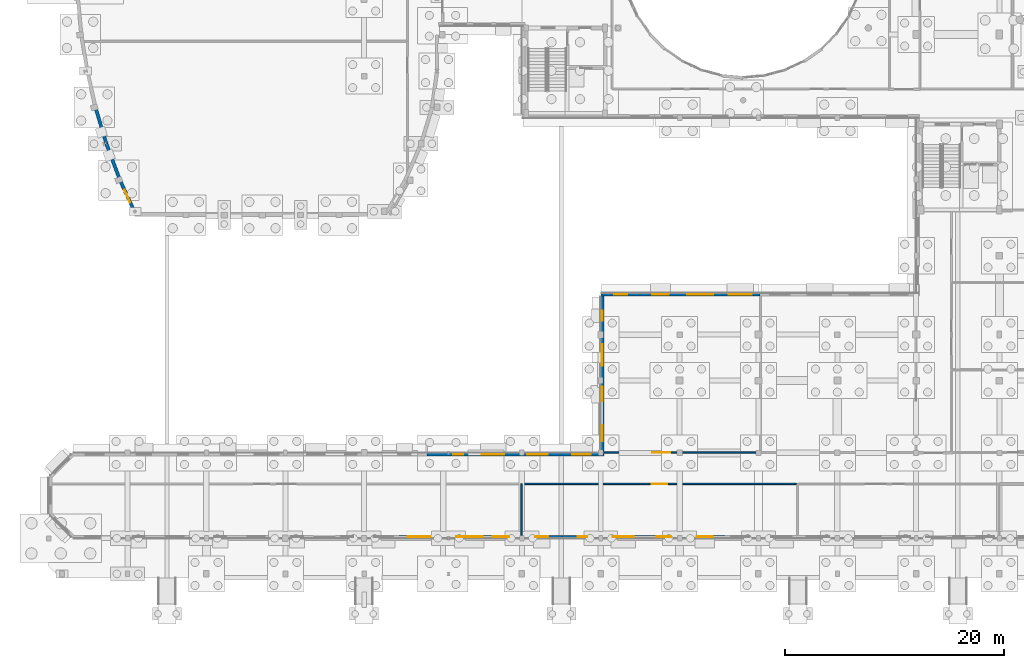
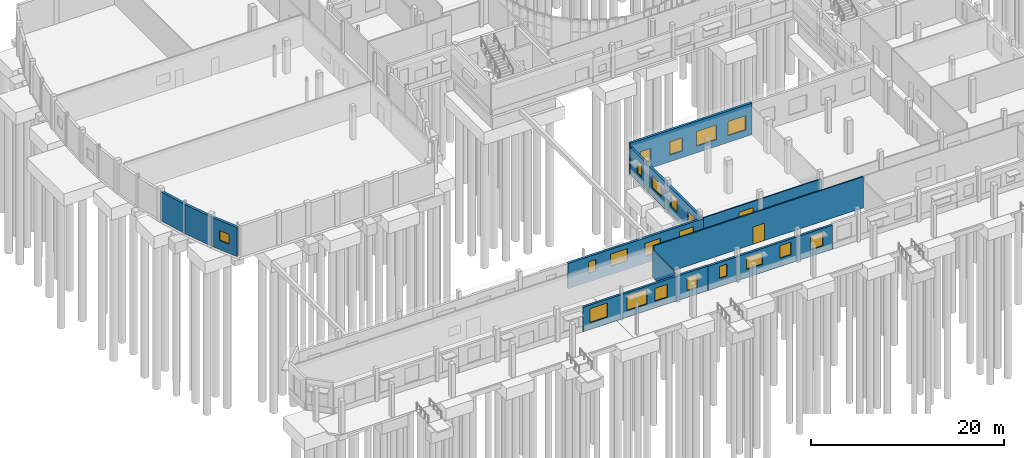
# One storey, part 62 of 93: 21 windows, 11 walls, 2 doors, 23 openings.
"""IFC4 building model written with IfcOpenShell, lengths in metres."""

from ifc_helpers import new_model, si_unit, direction, frame, frame_2d, origin, place, context, subcontext, project, spatial, rectangle, extrude, material, layer, layer_set, type_object, element, fill, save


model = new_model("IFC4")

# Units and contexts
model_context = context("Model", 3, precision=1e-05, world=origin(), true_north=direction((0.0, 1.0)))
body_context = subcontext(model_context, "Body", "Model", "MODEL_VIEW")
ifc_project = project(units=[si_unit("LENGTHUNIT", "METRE"), si_unit("AREAUNIT", "SQUARE_METRE"), si_unit("VOLUMEUNIT", "CUBIC_METRE"), si_unit("PLANEANGLEUNIT", "RADIAN"), si_unit("MASSUNIT", "GRAM", prefix="KILO")], contexts=[model_context])

# Site, building, storey
site_placement = place(None, origin())
site = spatial("IfcSite", under=ifc_project, at=site_placement, CompositionType="ELEMENT")
building_placement = place(site_placement, origin())
building = spatial("IfcBuilding", under=site, at=building_placement, Name="Kelanivale Promenade Academy", CompositionType="ELEMENT")
storey_placement = place(building_placement, origin())
storey = spatial("IfcBuildingStorey", under=building, at=storey_placement, Name="L00", CompositionType="ELEMENT", Elevation=0.0)

# Wall, opening, window
ifc_material_1 = material(Name="Insulated terracotta-clad masonry wall 300 mm", Category="masonry")
ifc_layer_1 = layer(ifc_material_1, 0.300048828125)
ifc_layer_set_1 = layer_set([ifc_layer_1], Name="Insulated terracotta-clad masonry wall 300 mm")
wall_type_1 = type_object("IfcWallType", Name="EW-01 Wall 300mm", PredefinedType="SOLIDWALL", material=ifc_layer_set_1)
wall_1_placement = place(storey_placement, frame((6.5029296875, 36.31396484375, 0.0), z_axis=(0.0, 0.0, 1.0), x_axis=(0.414347666712, -0.910118679673, 0.0)))
wall_1 = element("IfcWall", 1, at=wall_1_placement, inside=storey, type_object=wall_type_1, Name="Sports Hall Crescent Pavilion curved terracotta wall L00", PredefinedType="SOLIDWALL", context=body_context, shape_type="SweptSolid", body=[
    extrude(rectangle(XDim=3.2412109375, YDim=0.300048828125, at=frame_2d((1.62060546875, 0.0))), origin(), (0.0, 0.0, 1.0), 3.679931640625),
])
opening_1_placement = place(wall_1_placement, frame((0.99609375, 0.0, 1.14990234375)))
opening_1 = element("IfcOpeningElement", 2, at=opening_1_placement, cuts=wall_1, Name="Opening WT-20", PredefinedType="OPENING", context=body_context, shape_type="SweptSolid", body=[
    extrude(rectangle(XDim=1.25, YDim=1.25, at=frame_2d((0.625, 0.625))), frame((0.0, 0.16015625, 0.0), z_axis=(0.0, -1.0, 0.0), x_axis=(1.0, 0.0, 0.0)), (0.0, 0.0, 1.0), 0.320068359375),
])
ifc_material_2 = material(Name="Bronze anodised aluminium frame with low-E laminated glass", Category="aluminium")
window_type_1 = type_object("IfcWindowType", Name="WT-20 Window 1250x1250", PartitioningType="SINGLE_PANEL", PredefinedType="WINDOW", material=ifc_material_2)
window_1_placement = place(opening_1_placement, origin())
window_1 = element("IfcWindow", 3, at=window_1_placement, inside=storey, type_object=window_type_1, Name="Window WT-20", OverallHeight=1.25, OverallWidth=1.25, PartitioningType="SINGLE_PANEL", PredefinedType="WINDOW", context=body_context, shape_type="SweptSolid", body=[
    extrude(rectangle(XDim=1.25, YDim=1.25, at=frame_2d((0.625, 0.625))), frame((0.0, 0.030029296875, 0.0), z_axis=(0.0, -1.0, 0.0), x_axis=(1.0, 0.0, 0.0)), (0.0, 0.0, 1.0), 0.06005859375),
])
fill(opening_1, window_1)

# Walls
wall_2_placement = place(storey_placement, frame((5.260986328125, 39.62890625, 0.0), z_axis=(0.0, 0.0, 1.0), x_axis=(0.350836219137, -0.936436835746, 0.0)))
element("IfcWall", 4, at=wall_2_placement, inside=storey, type_object=wall_type_1, Name="Sports Hall Crescent Pavilion curved terracotta wall L00", PredefinedType="SOLIDWALL", context=body_context, shape_type="SweptSolid", body=[
    extrude(rectangle(XDim=3.5400390625, YDim=0.300048828125, at=frame_2d((1.77001953125, 0.0))), origin(), (0.0, 0.0, 1.0), 3.679931640625),
])
wall_3_placement = place(storey_placement, frame((4.26806640625, 42.943115234375, 0.0), z_axis=(0.0, 0.0, 1.0), x_axis=(0.286991798892, -0.957933039084, 0.0)))
element("IfcWall", 5, at=wall_3_placement, inside=storey, type_object=wall_type_1, Name="Sports Hall Crescent Pavilion curved terracotta wall L00", PredefinedType="SOLIDWALL", context=body_context, shape_type="SweptSolid", body=[
    extrude(rectangle(XDim=3.459716796875, YDim=0.300048828125, at=frame_2d((1.72998046875, 0.0))), origin(), (0.0, 0.0, 1.0), 3.679931640625),
])

# Wall, openings, windows
ifc_material_3 = material(Name="Insulated ivory stucco masonry wall 280 mm", Category="masonry")
ifc_layer_2 = layer(ifc_material_3, 0.280029296875)
ifc_layer_set_2 = layer_set([ifc_layer_2], Name="Insulated ivory stucco masonry wall 280 mm")
wall_type_2 = type_object("IfcWallType", Name="EW-02 Wall 280mm", PredefinedType="SOLIDWALL", material=ifc_layer_set_2)
wall_4_placement = place(storey_placement, frame((64.93994140625, 25.860107421875, 0.0), z_axis=(0.0, 0.0, 1.0), x_axis=(-1.0, 0.0, 0.0)))
wall_4 = element("IfcWall", 6, at=wall_4_placement, inside=storey, type_object=wall_type_2, Name="L00 exterior facade wall EW-L00-ORT-0324", PredefinedType="SOLIDWALL", context=body_context, shape_type="SweptSolid", body=[
    extrude(rectangle(XDim=14.5400390625, YDim=0.280029296875, at=frame_2d((7.27001953125, 0.0))), origin(), (0.0, 0.0, 1.0), 3.97998046875),
])
opening_2_placement = place(wall_4_placement, frame((0.76708984375, 0.0, 0.85009765625)))
opening_2 = element("IfcOpeningElement", 7, at=opening_2_placement, cuts=wall_4, Name="Opening WT-02", PredefinedType="OPENING", context=body_context, shape_type="SweptSolid", body=[
    extrude(rectangle(XDim=2.10009765625, YDim=1.800048828125, at=frame_2d((1.050048828125, 0.89990234375))), frame((0.0, 0.14990234375, 0.0), z_axis=(0.0, -1.0, 0.0), x_axis=(1.0, 0.0, 0.0)), (0.0, 0.0, 1.0), 0.300048828125),
])
opening_3_placement = place(wall_4_placement, frame((4.251953125, 0.0, 0.85009765625)))
opening_3 = element("IfcOpeningElement", 8, at=opening_3_placement, cuts=wall_4, Name="Opening WT-03", PredefinedType="OPENING", context=body_context, shape_type="SweptSolid", body=[
    extrude(rectangle(XDim=2.39990234375, YDim=1.85009765625, at=frame_2d((1.199951171875, 0.925048828125))), frame((0.0, 0.14990234375, 0.0), z_axis=(0.0, -1.0, 0.0), x_axis=(1.0, 0.0, 0.0)), (0.0, 0.0, 1.0), 0.300048828125),
])
opening_4_placement = place(wall_4_placement, frame((8.3369140625, 0.0, 0.85009765625)))
opening_4 = element("IfcOpeningElement", 9, at=opening_4_placement, cuts=wall_4, Name="Opening WT-04", PredefinedType="OPENING", context=body_context, shape_type="SweptSolid", body=[
    extrude(rectangle(XDim=1.5, YDim=1.64990234375, at=frame_2d((0.75, 0.824951171875))), frame((0.0, 0.14990234375, 0.0), z_axis=(0.0, -1.0, 0.0), x_axis=(1.0, 0.0, 0.0)), (0.0, 0.0, 1.0), 0.300048828125),
])
opening_5_placement = place(wall_4_placement, frame((12.123046875, 0.0, 0.85009765625)))
opening_5 = element("IfcOpeningElement", 10, at=opening_5_placement, cuts=wall_4, Name="Opening WT-05", PredefinedType="OPENING", context=body_context, shape_type="SweptSolid", body=[
    extrude(rectangle(XDim=1.199951171875, YDim=1.64990234375, at=frame_2d((0.60009765625, 0.824951171875))), frame((0.0, 0.14990234375, 0.0), z_axis=(0.0, -1.0, 0.0), x_axis=(1.0, 0.0, 0.0)), (0.0, 0.0, 1.0), 0.300048828125),
])
window_type_2 = type_object("IfcWindowType", Name="WT-02 Window 2100x1800", PartitioningType="SINGLE_PANEL", PredefinedType="WINDOW", material=ifc_material_2)
window_2_placement = place(opening_2_placement, origin())
window_2 = element("IfcWindow", 11, at=window_2_placement, inside=storey, type_object=window_type_2, Name="Window WT-02", OverallHeight=1.800048828125, OverallWidth=2.10009765625, PartitioningType="SINGLE_PANEL", PredefinedType="WINDOW", context=body_context, shape_type="SweptSolid", body=[
    extrude(rectangle(XDim=2.10009765625, YDim=1.800048828125, at=frame_2d((1.050048828125, 0.89990234375))), frame((0.0, 0.030029296875, 0.0), z_axis=(0.0, -1.0, 0.0), x_axis=(1.0, 0.0, 0.0)), (0.0, 0.0, 1.0), 0.06005859375),
])
fill(opening_2, window_2)
window_type_3 = type_object("IfcWindowType", Name="WT-03 Window 2400x1850", PartitioningType="SINGLE_PANEL", PredefinedType="WINDOW", material=ifc_material_2)
window_3_placement = place(opening_3_placement, origin())
window_3 = element("IfcWindow", 12, at=window_3_placement, inside=storey, type_object=window_type_3, Name="Window WT-03", OverallHeight=1.85009765625, OverallWidth=2.39990234375, PartitioningType="SINGLE_PANEL", PredefinedType="WINDOW", context=body_context, shape_type="SweptSolid", body=[
    extrude(rectangle(XDim=2.39990234375, YDim=1.85009765625, at=frame_2d((1.199951171875, 0.925048828125))), frame((0.0, 0.030029296875, 0.0), z_axis=(0.0, -1.0, 0.0), x_axis=(1.0, 0.0, 0.0)), (0.0, 0.0, 1.0), 0.06005859375),
])
fill(opening_3, window_3)
window_type_4 = type_object("IfcWindowType", Name="WT-04 Window 1500x1650", PartitioningType="SINGLE_PANEL", PredefinedType="WINDOW", material=ifc_material_2)
window_4_placement = place(opening_4_placement, origin())
window_4 = element("IfcWindow", 13, at=window_4_placement, inside=storey, type_object=window_type_4, Name="Window WT-04", OverallHeight=1.64990234375, OverallWidth=1.5, PartitioningType="SINGLE_PANEL", PredefinedType="WINDOW", context=body_context, shape_type="SweptSolid", body=[
    extrude(rectangle(XDim=1.5, YDim=1.64990234375, at=frame_2d((0.75, 0.824951171875))), frame((0.0, 0.030029296875, 0.0), z_axis=(0.0, -1.0, 0.0), x_axis=(1.0, 0.0, 0.0)), (0.0, 0.0, 1.0), 0.06005859375),
])
fill(opening_4, window_4)
window_type_5 = type_object("IfcWindowType", Name="WT-05 Window 1200x1650", PartitioningType="SINGLE_PANEL", PredefinedType="WINDOW", material=ifc_material_2)
window_5_placement = place(opening_5_placement, origin())
window_5 = element("IfcWindow", 14, at=window_5_placement, inside=storey, type_object=window_type_5, Name="Window WT-05", OverallHeight=1.64990234375, OverallWidth=1.199951171875, PartitioningType="SINGLE_PANEL", PredefinedType="WINDOW", context=body_context, shape_type="SweptSolid", body=[
    extrude(rectangle(XDim=1.199951171875, YDim=1.64990234375, at=frame_2d((0.60009765625, 0.824951171875))), frame((0.0, 0.030029296875, 0.0), z_axis=(0.0, -1.0, 0.0), x_axis=(1.0, 0.0, 0.0)), (0.0, 0.0, 1.0), 0.06005859375),
])
fill(opening_5, window_5)

wall_5_placement = place(storey_placement, frame((50.5400390625, 25.719970703125, 0.0), z_axis=(0.0, 0.0, 1.0), x_axis=(0.0, -1.0, 0.0)))
wall_5 = element("IfcWall", 15, at=wall_5_placement, inside=storey, type_object=wall_type_2, Name="L00 exterior facade wall EW-L00-ORT-0325", PredefinedType="SOLIDWALL", context=body_context, shape_type="SweptSolid", body=[
    extrude(rectangle(XDim=14.320068359375, YDim=0.280029296875, at=frame_2d((7.16015625, 0.0))), origin(), (0.0, 0.0, 1.0), 3.405029296875),
])
opening_6_placement = place(wall_5_placement, frame((1.340087890625, 0.0, 1.050048828125)))
opening_6 = element("IfcOpeningElement", 16, at=opening_6_placement, cuts=wall_5, Name="Opening WT-06", PredefinedType="OPENING", context=body_context, shape_type="SweptSolid", body=[
    extrude(rectangle(XDim=0.89990234375, YDim=1.5, at=frame_2d((0.449951171875, 0.75))), frame((0.0, 0.14990234375, 0.0), z_axis=(0.0, -1.0, 0.0), x_axis=(1.0, 0.0, 0.0)), (0.0, 0.0, 1.0), 0.300048828125),
])
opening_7_placement = place(wall_5_placement, frame((4.39501953125, 0.0, 1.050048828125)))
opening_7 = element("IfcOpeningElement", 17, at=opening_7_placement, cuts=wall_5, Name="Opening WT-22", PredefinedType="OPENING", context=body_context, shape_type="SweptSolid", body=[
    extrude(rectangle(XDim=1.949951171875, YDim=1.5, at=frame_2d((0.97509765625, 0.75))), frame((0.0, 0.14990234375, 0.0), z_axis=(0.0, -1.0, 0.0), x_axis=(1.0, 0.0, 0.0)), (0.0, 0.0, 1.0), 0.300048828125),
])
opening_8_placement = place(wall_5_placement, frame((8.300048828125, 0.0, 1.050048828125)))
opening_8 = element("IfcOpeningElement", 18, at=opening_8_placement, cuts=wall_5, Name="Opening WT-23", PredefinedType="OPENING", context=body_context, shape_type="SweptSolid", body=[
    extrude(rectangle(XDim=1.300048828125, YDim=1.60009765625, at=frame_2d((0.64990234375, 0.800048828125))), frame((0.0, 0.14990234375, 0.0), z_axis=(0.0, -1.0, 0.0), x_axis=(1.0, 0.0, 0.0)), (0.0, 0.0, 1.0), 0.300048828125),
])
opening_9_placement = place(wall_5_placement, frame((11.804931640625, 0.0, 0.85009765625)))
opening_9 = element("IfcOpeningElement", 19, at=opening_9_placement, cuts=wall_5, Name="Opening WT-24", PredefinedType="OPENING", context=body_context, shape_type="SweptSolid", body=[
    extrude(rectangle(XDim=1.449951171875, YDim=1.699951171875, at=frame_2d((0.72509765625, 0.85009765625))), frame((0.0, 0.14990234375, 0.0), z_axis=(0.0, -1.0, 0.0), x_axis=(1.0, 0.0, 0.0)), (0.0, 0.0, 1.0), 0.300048828125),
])
window_type_6 = type_object("IfcWindowType", Name="WT-06 Window 900x1500", PartitioningType="SINGLE_PANEL", PredefinedType="WINDOW", material=ifc_material_2)
window_6_placement = place(opening_6_placement, origin())
window_6 = element("IfcWindow", 20, at=window_6_placement, inside=storey, type_object=window_type_6, Name="Window WT-06", OverallHeight=1.5, OverallWidth=0.89990234375, PartitioningType="SINGLE_PANEL", PredefinedType="WINDOW", context=body_context, shape_type="SweptSolid", body=[
    extrude(rectangle(XDim=0.89990234375, YDim=1.5, at=frame_2d((0.449951171875, 0.75))), frame((0.0, 0.030029296875, 0.0), z_axis=(0.0, -1.0, 0.0), x_axis=(1.0, 0.0, 0.0)), (0.0, 0.0, 1.0), 0.06005859375),
])
fill(opening_6, window_6)
window_type_7 = type_object("IfcWindowType", Name="WT-22 Window 1950x1500", PartitioningType="SINGLE_PANEL", PredefinedType="WINDOW", material=ifc_material_2)
window_7_placement = place(opening_7_placement, origin())
window_7 = element("IfcWindow", 21, at=window_7_placement, inside=storey, type_object=window_type_7, Name="Window WT-22", OverallHeight=1.5, OverallWidth=1.949951171875, PartitioningType="SINGLE_PANEL", PredefinedType="WINDOW", context=body_context, shape_type="SweptSolid", body=[
    extrude(rectangle(XDim=1.949951171875, YDim=1.5, at=frame_2d((0.97509765625, 0.75))), frame((0.0, 0.030029296875, 0.0), z_axis=(0.0, -1.0, 0.0), x_axis=(1.0, 0.0, 0.0)), (0.0, 0.0, 1.0), 0.06005859375),
])
fill(opening_7, window_7)
window_type_8 = type_object("IfcWindowType", Name="WT-23 Window 1300x1600", PartitioningType="SINGLE_PANEL", PredefinedType="WINDOW", material=ifc_material_2)
window_8_placement = place(opening_8_placement, origin())
window_8 = element("IfcWindow", 22, at=window_8_placement, inside=storey, type_object=window_type_8, Name="Window WT-23", OverallHeight=1.60009765625, OverallWidth=1.300048828125, PartitioningType="SINGLE_PANEL", PredefinedType="WINDOW", context=body_context, shape_type="SweptSolid", body=[
    extrude(rectangle(XDim=1.300048828125, YDim=1.60009765625, at=frame_2d((0.64990234375, 0.800048828125))), frame((0.0, 0.030029296875, 0.0), z_axis=(0.0, -1.0, 0.0), x_axis=(1.0, 0.0, 0.0)), (0.0, 0.0, 1.0), 0.06005859375),
])
fill(opening_8, window_8)
window_type_9 = type_object("IfcWindowType", Name="WT-24 Window 1450x1700", PartitioningType="SINGLE_PANEL", PredefinedType="WINDOW", material=ifc_material_2)
window_9_placement = place(opening_9_placement, origin())
window_9 = element("IfcWindow", 23, at=window_9_placement, inside=storey, type_object=window_type_9, Name="Window WT-24", OverallHeight=1.699951171875, OverallWidth=1.449951171875, PartitioningType="SINGLE_PANEL", PredefinedType="WINDOW", context=body_context, shape_type="SweptSolid", body=[
    extrude(rectangle(XDim=1.449951171875, YDim=1.699951171875, at=frame_2d((0.72509765625, 0.85009765625))), frame((0.0, 0.030029296875, 0.0), z_axis=(0.0, -1.0, 0.0), x_axis=(1.0, 0.0, 0.0)), (0.0, 0.0, 1.0), 0.06005859375),
])
fill(opening_9, window_9)

wall_6_placement = place(storey_placement, frame((50.679931640625, 11.260009765625, 0.0), z_axis=(0.0, 0.0, 1.0), x_axis=(-1.0, 0.0, 0.0)))
wall_6 = element("IfcWall", 24, at=wall_6_placement, inside=storey, type_object=wall_type_2, Name="L00 exterior facade wall EW-L00-ORT-0326", PredefinedType="SOLIDWALL", context=body_context, shape_type="SweptSolid", body=[
    extrude(rectangle(XDim=16.1650390625, YDim=0.280029296875, at=frame_2d((8.08251953125, 0.0))), origin(), (0.0, 0.0, 1.0), 3.205078125),
])
opening_10_placement = place(wall_6_placement, frame((1.1708984375, 0.0, 0.85009765625)))
opening_10 = element("IfcOpeningElement", 25, at=opening_10_placement, cuts=wall_6, Name="Opening WT-25", PredefinedType="OPENING", context=body_context, shape_type="SweptSolid", body=[
    extrude(rectangle(XDim=1.699951171875, YDim=1.75, at=frame_2d((0.85009765625, 0.875))), frame((0.0, 0.14990234375, 0.0), z_axis=(0.0, -1.0, 0.0), x_axis=(1.0, 0.0, 0.0)), (0.0, 0.0, 1.0), 0.300048828125),
])
opening_11_placement = place(wall_6_placement, frame((5.112060546875, 0.0, 0.85009765625)))
opening_11 = element("IfcOpeningElement", 26, at=opening_11_placement, cuts=wall_6, Name="Opening WT-26", PredefinedType="OPENING", context=body_context, shape_type="SweptSolid", body=[
    extrude(rectangle(XDim=1.89990234375, YDim=1.64990234375, at=frame_2d((0.949951171875, 0.824951171875))), frame((0.0, 0.14990234375, 0.0), z_axis=(0.0, -1.0, 0.0), x_axis=(1.0, 0.0, 0.0)), (0.0, 0.0, 1.0), 0.300048828125),
])
opening_12_placement = place(wall_6_placement, frame((9.077880859375, 0.0, 1.050048828125)))
opening_12 = element("IfcOpeningElement", 27, at=opening_12_placement, cuts=wall_6, Name="Opening WT-27", PredefinedType="OPENING", context=body_context, shape_type="SweptSolid", body=[
    extrude(rectangle(XDim=2.050048828125, YDim=1.550048828125, at=frame_2d((1.02490234375, 0.77490234375))), frame((0.0, 0.14990234375, 0.0), z_axis=(0.0, -1.0, 0.0), x_axis=(1.0, 0.0, 0.0)), (0.0, 0.0, 1.0), 0.300048828125),
])
opening_13_placement = place(wall_6_placement, frame((12.843994140625, 0.0, 1.050048828125)))
opening_13 = element("IfcOpeningElement", 28, at=opening_13_placement, cuts=wall_6, Name="Opening WT-06", PredefinedType="OPENING", context=body_context, shape_type="SweptSolid", body=[
    extrude(rectangle(XDim=0.89990234375, YDim=1.5, at=frame_2d((0.449951171875, 0.75))), frame((0.0, 0.14990234375, 0.0), z_axis=(0.0, -1.0, 0.0), x_axis=(1.0, 0.0, 0.0)), (0.0, 0.0, 1.0), 0.300048828125),
])
window_10_placement = place(opening_13_placement, origin())
window_10 = element("IfcWindow", 29, at=window_10_placement, inside=storey, type_object=window_type_6, Name="Window WT-06", OverallHeight=1.5, OverallWidth=0.89990234375, PartitioningType="SINGLE_PANEL", PredefinedType="WINDOW", context=body_context, shape_type="SweptSolid", body=[
    extrude(rectangle(XDim=0.89990234375, YDim=1.5, at=frame_2d((0.449951171875, 0.75))), frame((0.0, 0.030029296875, 0.0), z_axis=(0.0, -1.0, 0.0), x_axis=(1.0, 0.0, 0.0)), (0.0, 0.0, 1.0), 0.06005859375),
])
fill(opening_13, window_10)
window_type_10 = type_object("IfcWindowType", Name="WT-25 Window 1700x1750", PartitioningType="SINGLE_PANEL", PredefinedType="WINDOW", material=ifc_material_2)
window_11_placement = place(opening_10_placement, origin())
window_11 = element("IfcWindow", 30, at=window_11_placement, inside=storey, type_object=window_type_10, Name="Window WT-25", OverallHeight=1.75, OverallWidth=1.699951171875, PartitioningType="SINGLE_PANEL", PredefinedType="WINDOW", context=body_context, shape_type="SweptSolid", body=[
    extrude(rectangle(XDim=1.699951171875, YDim=1.75, at=frame_2d((0.85009765625, 0.875))), frame((0.0, 0.030029296875, 0.0), z_axis=(0.0, -1.0, 0.0), x_axis=(1.0, 0.0, 0.0)), (0.0, 0.0, 1.0), 0.06005859375),
])
fill(opening_10, window_11)
window_type_11 = type_object("IfcWindowType", Name="WT-26 Window 1900x1650", PartitioningType="SINGLE_PANEL", PredefinedType="WINDOW", material=ifc_material_2)
window_12_placement = place(opening_11_placement, origin())
window_12 = element("IfcWindow", 31, at=window_12_placement, inside=storey, type_object=window_type_11, Name="Window WT-26", OverallHeight=1.64990234375, OverallWidth=1.89990234375, PartitioningType="SINGLE_PANEL", PredefinedType="WINDOW", context=body_context, shape_type="SweptSolid", body=[
    extrude(rectangle(XDim=1.89990234375, YDim=1.64990234375, at=frame_2d((0.949951171875, 0.824951171875))), frame((0.0, 0.030029296875, 0.0), z_axis=(0.0, -1.0, 0.0), x_axis=(1.0, 0.0, 0.0)), (0.0, 0.0, 1.0), 0.06005859375),
])
fill(opening_11, window_12)
window_type_12 = type_object("IfcWindowType", Name="WT-27 Window 2050x1550", PartitioningType="SINGLE_PANEL", PredefinedType="WINDOW", material=ifc_material_2)
window_13_placement = place(opening_12_placement, origin())
window_13 = element("IfcWindow", 32, at=window_13_placement, inside=storey, type_object=window_type_12, Name="Window WT-27", OverallHeight=1.550048828125, OverallWidth=2.050048828125, PartitioningType="SINGLE_PANEL", PredefinedType="WINDOW", context=body_context, shape_type="SweptSolid", body=[
    extrude(rectangle(XDim=2.050048828125, YDim=1.550048828125, at=frame_2d((1.02490234375, 0.77490234375))), frame((0.0, 0.030029296875, 0.0), z_axis=(0.0, -1.0, 0.0), x_axis=(1.0, 0.0, 0.0)), (0.0, 0.0, 1.0), 0.06005859375),
])
fill(opening_12, window_13)

ifc_material_4 = material(Name="Insulated granite-faced masonry wall 260 mm", Category="masonry")
ifc_layer_3 = layer(ifc_material_4, 0.260009765625)
ifc_layer_set_3 = layer_set([ifc_layer_3], Name="Insulated granite-faced masonry wall 260 mm")
wall_type_3 = type_object("IfcWallType", Name="EW-03 Wall 260mm", PredefinedType="SOLIDWALL", material=ifc_layer_set_3)
wall_7_placement = place(storey_placement, frame((31.97607421875, 3.739990234375, 0.0), z_axis=(0.0, 0.0, 1.0), x_axis=(1.0, 0.0, 0.0)))
wall_7 = element("IfcWall", 33, at=wall_7_placement, inside=storey, type_object=wall_type_3, Name="L00 exterior facade wall EW-L00-ORT-0334", PredefinedType="SOLIDWALL", context=body_context, shape_type="SweptSolid", body=[
    extrude(rectangle(XDim=14.892822265625, YDim=0.260009765625, at=frame_2d((7.4462890625, 0.0))), origin(), (0.0, 0.0, 1.0), 3.10498046875),
])
opening_14_placement = place(wall_7_placement, frame((0.81201171875, 0.0, 0.85009765625)))
opening_14 = element("IfcOpeningElement", 34, at=opening_14_placement, cuts=wall_7, Name="Opening WT-02", PredefinedType="OPENING", context=body_context, shape_type="SweptSolid", body=[
    extrude(rectangle(XDim=2.10009765625, YDim=1.800048828125, at=frame_2d((1.050048828125, 0.89990234375))), frame((0.0, 0.14013671875, 0.0), z_axis=(0.0, -1.0, 0.0), x_axis=(1.0, 0.0, 0.0)), (0.0, 0.0, 1.0), 0.280029296875),
])
opening_15_placement = place(wall_7_placement, frame((5.235107421875, 0.0, 0.85009765625)))
opening_15 = element("IfcOpeningElement", 35, at=opening_15_placement, cuts=wall_7, Name="Opening WT-03", PredefinedType="OPENING", context=body_context, shape_type="SweptSolid", body=[
    extrude(rectangle(XDim=2.39990234375, YDim=1.85009765625, at=frame_2d((1.199951171875, 0.925048828125))), frame((0.0, 0.14013671875, 0.0), z_axis=(0.0, -1.0, 0.0), x_axis=(1.0, 0.0, 0.0)), (0.0, 0.0, 1.0), 0.280029296875),
])
opening_16_placement = place(wall_7_placement, frame((8.55810546875, 0.0, 0.85009765625)))
opening_16 = element("IfcOpeningElement", 36, at=opening_16_placement, cuts=wall_7, Name="Opening WT-04", PredefinedType="OPENING", context=body_context, shape_type="SweptSolid", body=[
    extrude(rectangle(XDim=1.5, YDim=1.64990234375, at=frame_2d((0.75, 0.824951171875))), frame((0.0, 0.14013671875, 0.0), z_axis=(0.0, -1.0, 0.0), x_axis=(1.0, 0.0, 0.0)), (0.0, 0.0, 1.0), 0.280029296875),
])
opening_17_placement = place(wall_7_placement, frame((12.430908203125, 0.0, 0.85009765625)))
opening_17 = element("IfcOpeningElement", 37, at=opening_17_placement, cuts=wall_7, Name="Opening WT-05", PredefinedType="OPENING", context=body_context, shape_type="SweptSolid", body=[
    extrude(rectangle(XDim=1.199951171875, YDim=1.64990234375, at=frame_2d((0.60009765625, 0.824951171875))), frame((0.0, 0.14013671875, 0.0), z_axis=(0.0, -1.0, 0.0), x_axis=(1.0, 0.0, 0.0)), (0.0, 0.0, 1.0), 0.280029296875),
])
window_14_placement = place(opening_14_placement, origin())
window_14 = element("IfcWindow", 38, at=window_14_placement, inside=storey, type_object=window_type_2, Name="Window WT-02", OverallHeight=1.800048828125, OverallWidth=2.10009765625, PartitioningType="SINGLE_PANEL", PredefinedType="WINDOW", context=body_context, shape_type="SweptSolid", body=[
    extrude(rectangle(XDim=2.10009765625, YDim=1.800048828125, at=frame_2d((1.050048828125, 0.89990234375))), frame((0.0, 0.030029296875, 0.0), z_axis=(0.0, -1.0, 0.0), x_axis=(1.0, 0.0, 0.0)), (0.0, 0.0, 1.0), 0.06005859375),
])
fill(opening_14, window_14)
window_15_placement = place(opening_15_placement, origin())
window_15 = element("IfcWindow", 39, at=window_15_placement, inside=storey, type_object=window_type_3, Name="Window WT-03", OverallHeight=1.85009765625, OverallWidth=2.39990234375, PartitioningType="SINGLE_PANEL", PredefinedType="WINDOW", context=body_context, shape_type="SweptSolid", body=[
    extrude(rectangle(XDim=2.39990234375, YDim=1.85009765625, at=frame_2d((1.199951171875, 0.925048828125))), frame((0.0, 0.030029296875, 0.0), z_axis=(0.0, -1.0, 0.0), x_axis=(1.0, 0.0, 0.0)), (0.0, 0.0, 1.0), 0.06005859375),
])
fill(opening_15, window_15)
window_16_placement = place(opening_16_placement, origin())
window_16 = element("IfcWindow", 40, at=window_16_placement, inside=storey, type_object=window_type_4, Name="Window WT-04", OverallHeight=1.64990234375, OverallWidth=1.5, PartitioningType="SINGLE_PANEL", PredefinedType="WINDOW", context=body_context, shape_type="SweptSolid", body=[
    extrude(rectangle(XDim=1.5, YDim=1.64990234375, at=frame_2d((0.75, 0.824951171875))), frame((0.0, 0.030029296875, 0.0), z_axis=(0.0, -1.0, 0.0), x_axis=(1.0, 0.0, 0.0)), (0.0, 0.0, 1.0), 0.06005859375),
])
fill(opening_16, window_16)
window_17_placement = place(opening_17_placement, origin())
window_17 = element("IfcWindow", 41, at=window_17_placement, inside=storey, type_object=window_type_5, Name="Window WT-05", OverallHeight=1.64990234375, OverallWidth=1.199951171875, PartitioningType="SINGLE_PANEL", PredefinedType="WINDOW", context=body_context, shape_type="SweptSolid", body=[
    extrude(rectangle(XDim=1.199951171875, YDim=1.64990234375, at=frame_2d((0.60009765625, 0.824951171875))), frame((0.0, 0.030029296875, 0.0), z_axis=(0.0, -1.0, 0.0), x_axis=(1.0, 0.0, 0.0)), (0.0, 0.0, 1.0), 0.06005859375),
])
fill(opening_17, window_17)

wall_8_placement = place(storey_placement, frame((46.868896484375, 3.739990234375, 0.0), z_axis=(0.0, 0.0, 1.0), x_axis=(1.0, 0.0, 0.0)))
wall_8 = element("IfcWall", 42, at=wall_8_placement, inside=storey, type_object=wall_type_3, Name="L00 exterior facade wall EW-L00-ORT-0335", PredefinedType="SOLIDWALL", context=body_context, shape_type="SweptSolid", body=[
    extrude(rectangle(XDim=14.89208984375, YDim=0.260009765625, at=frame_2d((7.446044921875, 0.0))), origin(), (0.0, 0.0, 1.0), 3.054931640625),
])
opening_18_placement = place(wall_8_placement, frame((1.412109375, 0.0, 1.050048828125)))
opening_18 = element("IfcOpeningElement", 43, at=opening_18_placement, cuts=wall_8, Name="Opening WT-06", PredefinedType="OPENING", context=body_context, shape_type="SweptSolid", body=[
    extrude(rectangle(XDim=0.89990234375, YDim=1.5, at=frame_2d((0.449951171875, 0.75))), frame((0.0, 0.14013671875, 0.0), z_axis=(0.0, -1.0, 0.0), x_axis=(1.0, 0.0, 0.0)), (0.0, 0.0, 1.0), 0.280029296875),
])
opening_19_placement = place(wall_8_placement, frame((4.610107421875, 0.0, 1.050048828125)))
opening_19 = element("IfcOpeningElement", 44, at=opening_19_placement, cuts=wall_8, Name="Opening WT-22", PredefinedType="OPENING", context=body_context, shape_type="SweptSolid", body=[
    extrude(rectangle(XDim=1.949951171875, YDim=1.5, at=frame_2d((0.97509765625, 0.75))), frame((0.0, 0.14013671875, 0.0), z_axis=(0.0, -1.0, 0.0), x_axis=(1.0, 0.0, 0.0)), (0.0, 0.0, 1.0), 0.280029296875),
])
opening_20_placement = place(wall_8_placement, frame((8.657958984375, 0.0, 1.050048828125)))
opening_20 = element("IfcOpeningElement", 45, at=opening_20_placement, cuts=wall_8, Name="Opening WT-23", PredefinedType="OPENING", context=body_context, shape_type="SweptSolid", body=[
    extrude(rectangle(XDim=1.300048828125, YDim=1.60009765625, at=frame_2d((0.64990234375, 0.800048828125))), frame((0.0, 0.14013671875, 0.0), z_axis=(0.0, -1.0, 0.0), x_axis=(1.0, 0.0, 0.0)), (0.0, 0.0, 1.0), 0.280029296875),
])
opening_21_placement = place(wall_8_placement, frame((12.305908203125, 0.0, 0.85009765625)))
opening_21 = element("IfcOpeningElement", 46, at=opening_21_placement, cuts=wall_8, Name="Opening WT-24", PredefinedType="OPENING", context=body_context, shape_type="SweptSolid", body=[
    extrude(rectangle(XDim=1.449951171875, YDim=1.699951171875, at=frame_2d((0.72509765625, 0.85009765625))), frame((0.0, 0.14013671875, 0.0), z_axis=(0.0, -1.0, 0.0), x_axis=(1.0, 0.0, 0.0)), (0.0, 0.0, 1.0), 0.280029296875),
])
window_18_placement = place(opening_18_placement, origin())
window_18 = element("IfcWindow", 47, at=window_18_placement, inside=storey, type_object=window_type_6, Name="Window WT-06", OverallHeight=1.5, OverallWidth=0.89990234375, PartitioningType="SINGLE_PANEL", PredefinedType="WINDOW", context=body_context, shape_type="SweptSolid", body=[
    extrude(rectangle(XDim=0.89990234375, YDim=1.5, at=frame_2d((0.449951171875, 0.75))), frame((0.0, 0.030029296875, 0.0), z_axis=(0.0, -1.0, 0.0), x_axis=(1.0, 0.0, 0.0)), (0.0, 0.0, 1.0), 0.06005859375),
])
fill(opening_18, window_18)
window_19_placement = place(opening_19_placement, origin())
window_19 = element("IfcWindow", 48, at=window_19_placement, inside=storey, type_object=window_type_7, Name="Window WT-22", OverallHeight=1.5, OverallWidth=1.949951171875, PartitioningType="SINGLE_PANEL", PredefinedType="WINDOW", context=body_context, shape_type="SweptSolid", body=[
    extrude(rectangle(XDim=1.949951171875, YDim=1.5, at=frame_2d((0.97509765625, 0.75))), frame((0.0, 0.030029296875, 0.0), z_axis=(0.0, -1.0, 0.0), x_axis=(1.0, 0.0, 0.0)), (0.0, 0.0, 1.0), 0.06005859375),
])
fill(opening_19, window_19)
window_20_placement = place(opening_20_placement, origin())
window_20 = element("IfcWindow", 49, at=window_20_placement, inside=storey, type_object=window_type_8, Name="Window WT-23", OverallHeight=1.60009765625, OverallWidth=1.300048828125, PartitioningType="SINGLE_PANEL", PredefinedType="WINDOW", context=body_context, shape_type="SweptSolid", body=[
    extrude(rectangle(XDim=1.300048828125, YDim=1.60009765625, at=frame_2d((0.64990234375, 0.800048828125))), frame((0.0, 0.030029296875, 0.0), z_axis=(0.0, -1.0, 0.0), x_axis=(1.0, 0.0, 0.0)), (0.0, 0.0, 1.0), 0.06005859375),
])
fill(opening_20, window_20)
window_21_placement = place(opening_21_placement, origin())
window_21 = element("IfcWindow", 50, at=window_21_placement, inside=storey, type_object=window_type_9, Name="Window WT-24", OverallHeight=1.699951171875, OverallWidth=1.449951171875, PartitioningType="SINGLE_PANEL", PredefinedType="WINDOW", context=body_context, shape_type="SweptSolid", body=[
    extrude(rectangle(XDim=1.449951171875, YDim=1.699951171875, at=frame_2d((0.72509765625, 0.85009765625))), frame((0.0, 0.030029296875, 0.0), z_axis=(0.0, -1.0, 0.0), x_axis=(1.0, 0.0, 0.0)), (0.0, 0.0, 1.0), 0.06005859375),
])
fill(opening_21, window_21)

# Wall, opening, door
ifc_material_5 = material(Name="Acoustic gypsum-lined masonry partition 150 mm", Category="masonry")
ifc_layer_4 = layer(ifc_material_5, 0.14990234375)
ifc_layer_set_4 = layer_set([ifc_layer_4], Name="Acoustic gypsum-lined masonry partition 150 mm")
wall_type_4 = type_object("IfcWallType", Name="IW-03 Wall 150mm", PredefinedType="PARTITIONING", material=ifc_layer_set_4)
wall_9_placement = place(storey_placement, frame((68.297119140625, 8.570068359375, 0.0), z_axis=(0.0, 0.0, 1.0), x_axis=(-1.0, 0.0, 0.0)))
wall_9 = element("IfcWall", 51, at=wall_9_placement, inside=storey, type_object=wall_type_4, Name="L00 partition Commercial Kitchen", PredefinedType="PARTITIONING", context=body_context, shape_type="SweptSolid", body=[
    extrude(rectangle(XDim=25.05908203125, YDim=0.14990234375, at=frame_2d((12.529541015625, 0.0))), origin(), (0.0, 0.0, 1.0), 3.955078125),
])
opening_22_placement = place(wall_9_placement, frame((11.8291015625, 0.0, 0.0)))
opening_22 = element("IfcOpeningElement", 52, at=opening_22_placement, cuts=wall_9, Name="Opening ID-L00-023", PredefinedType="OPENING", context=body_context, shape_type="SweptSolid", body=[
    extrude(rectangle(XDim=1.39990234375, YDim=2.199951171875, at=frame_2d((0.699951171875, 1.10009765625))), frame((0.0, 0.0849609375, 0.0), z_axis=(0.0, -1.0, 0.0), x_axis=(1.0, 0.0, 0.0)), (0.0, 0.0, 1.0), 0.169921875),
])
ifc_material_6 = material(Name="Fire-rated steel-core teak veneer", Category="steel")
door_type_1 = type_object("IfcDoorType", Name="DT-F08 Door 1400x2200", OperationType="NOTDEFINED", PredefinedType="DOOR", material=ifc_material_6)
door_1_placement = place(opening_22_placement, origin())
door_1 = element("IfcDoor", 53, at=door_1_placement, inside=storey, type_object=door_type_1, Name="Commercial Kitchen door ID-L00-023", OperationType="DOUBLE_DOOR_SINGLE_SWING", OverallHeight=2.199951171875, OverallWidth=1.39990234375, PredefinedType="DOOR", context=body_context, shape_type="SweptSolid", body=[
    extrude(rectangle(XDim=1.39990234375, YDim=2.199951171875, at=frame_2d((0.699951171875, 1.10009765625))), frame((0.0, 0.02490234375, 0.0), z_axis=(0.0, -1.0, 0.0), x_axis=(1.0, 0.0, 0.0)), (0.0, 0.0, 1.0), 0.050048828125),
])
fill(opening_22, door_1)

# Wall
ifc_material_7 = material(Name="Acoustic double-stud gypsum board partition 140 mm", Category="masonry")
ifc_layer_5 = layer(ifc_material_7, 0.139892578125)
ifc_layer_set_5 = layer_set([ifc_layer_5], Name="Acoustic double-stud gypsum board partition 140 mm")
wall_type_5 = type_object("IfcWallType", Name="IW-04 Wall 140mm", PredefinedType="PARTITIONING", material=ifc_layer_set_5)
wall_10_placement = place(storey_placement, frame((43.169921875, 3.867919921875, 0.0), z_axis=(0.0, 0.0, 1.0), x_axis=(0.0, 1.0, 0.0)))
element("IfcWall", 54, at=wall_10_placement, inside=storey, type_object=wall_type_5, Name="L00 partition Promenade Dining Hall", PredefinedType="PARTITIONING", context=body_context, shape_type="SweptSolid", body=[
    extrude(rectangle(XDim=4.7021484375, YDim=0.139892578125, at=frame_2d((2.35107421875, 0.0))), origin(), (0.0, 0.0, 1.0), 3.405029296875),
])

# Wall, opening, door
wall_11_placement = place(storey_placement, frame((50.677978515625, 11.429931640625, 0.0), z_axis=(0.0, 0.0, 1.0), x_axis=(1.0, 0.0, 0.0)))
wall_11 = element("IfcWall", 55, at=wall_11_placement, inside=storey, type_object=wall_type_5, Name="L00 partition Junior Wellbeing Studio", PredefinedType="PARTITIONING", context=body_context, shape_type="SweptSolid", body=[
    extrude(rectangle(XDim=14.2919921875, YDim=0.139892578125, at=frame_2d((7.14599609375, 0.0))), origin(), (0.0, 0.0, 1.0), 3.10498046875),
])
opening_23_placement = place(wall_11_placement, frame((4.425048828125, 0.0, 0.0)))
opening_23 = element("IfcOpeningElement", 56, at=opening_23_placement, cuts=wall_11, Name="Opening ID-L00-028", PredefinedType="OPENING", context=body_context, shape_type="SweptSolid", body=[
    extrude(rectangle(XDim=1.64990234375, YDim=2.320068359375, at=frame_2d((0.824951171875, 1.16015625))), frame((0.0, 0.080078125, 0.0), z_axis=(0.0, -1.0, 0.0), x_axis=(1.0, 0.0, 0.0)), (0.0, 0.0, 1.0), 0.159912109375),
])
ifc_material_8 = material(Name="Solid-core tropical teak timber", Category="wood")
door_type_2 = type_object("IfcDoorType", Name="DT-I21 Door 1650x2320", OperationType="NOTDEFINED", PredefinedType="DOOR", material=ifc_material_8)
door_2_placement = place(opening_23_placement, origin())
door_2 = element("IfcDoor", 57, at=door_2_placement, inside=storey, type_object=door_type_2, Name="Junior Wellbeing Studio door ID-L00-028", OperationType="DOUBLE_DOOR_SINGLE_SWING", OverallHeight=2.320068359375, OverallWidth=1.64990234375, PredefinedType="DOOR", context=body_context, shape_type="SweptSolid", body=[
    extrude(rectangle(XDim=1.64990234375, YDim=2.320068359375, at=frame_2d((0.824951171875, 1.16015625))), frame((0.0, 0.02490234375, 0.0), z_axis=(0.0, -1.0, 0.0), x_axis=(1.0, 0.0, 0.0)), (0.0, 0.0, 1.0), 0.050048828125),
])
fill(opening_23, door_2)

save(model, "model.ifc")
